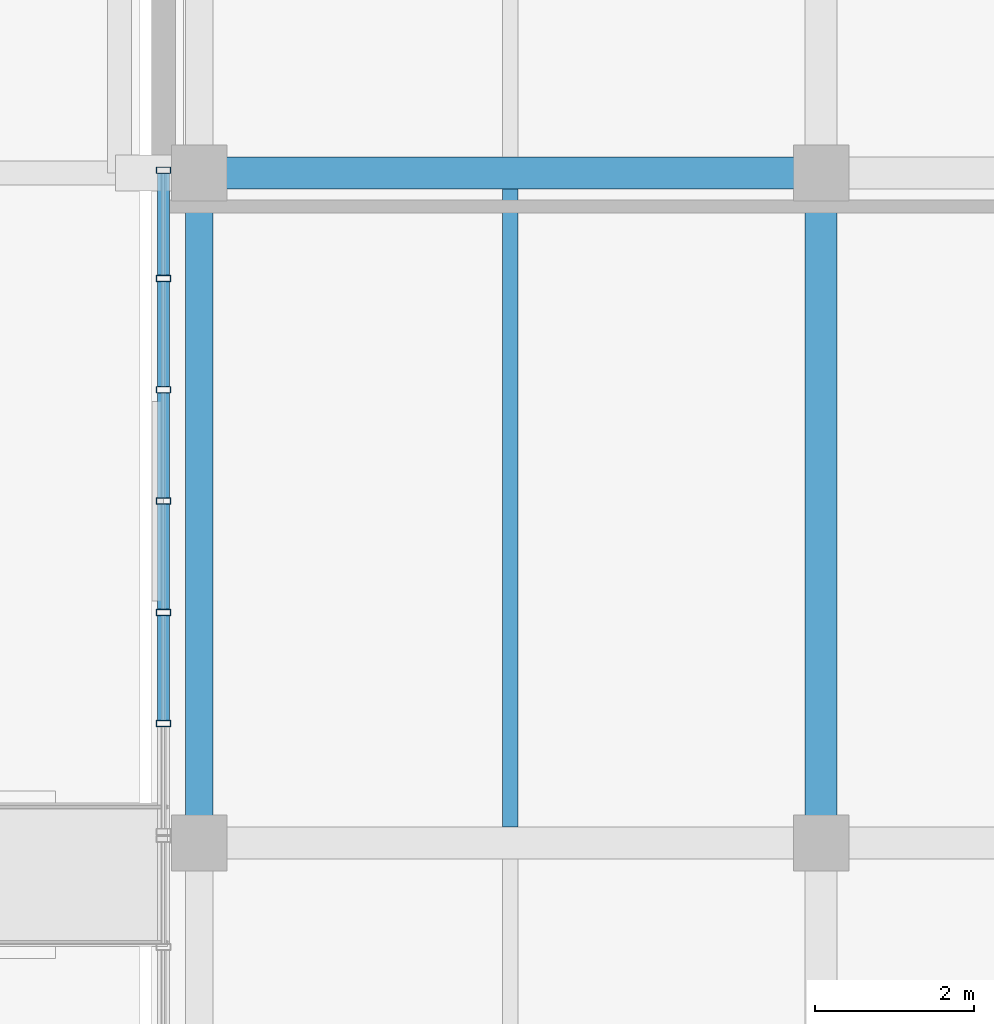
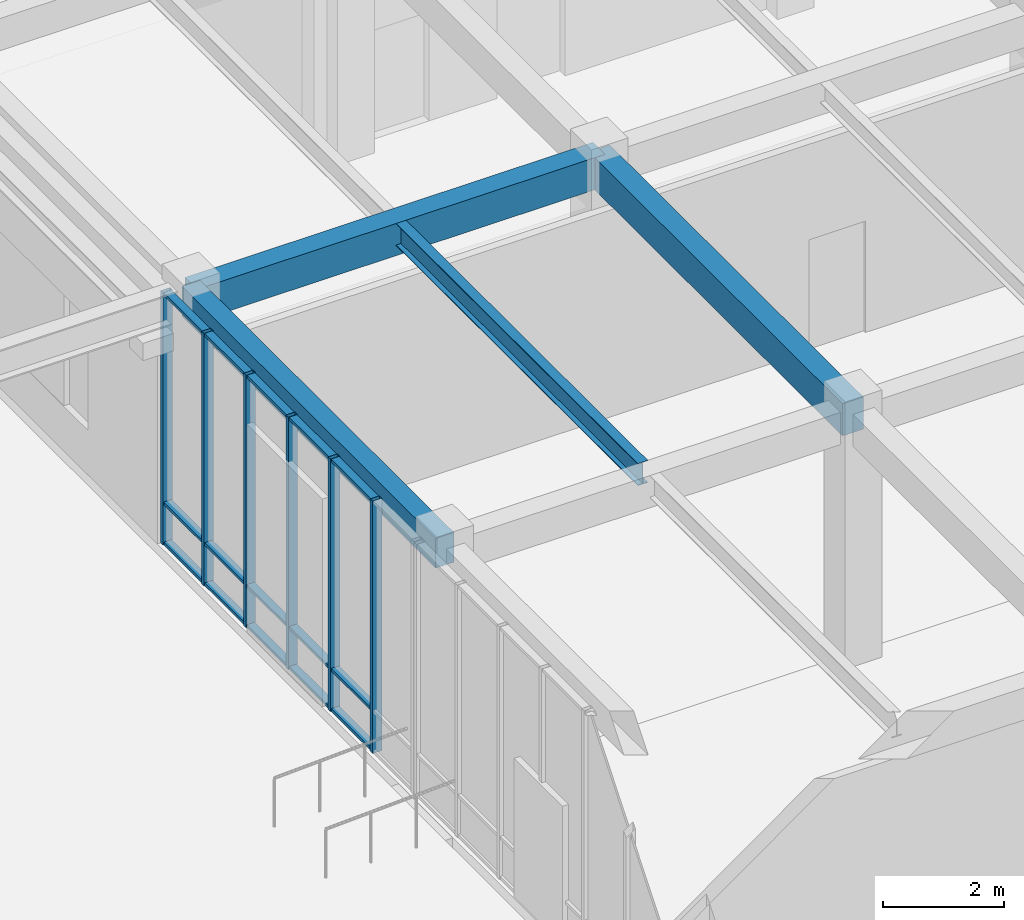
# One storey, part 57 of 122: 21 members, 4 beams, 1 element without a shape of its own.
"""IFC4 building model written with IfcOpenShell, lengths in metres."""

import ifcopenshell
import ifcopenshell.guid

model = None  # the IFC model being written
_history = None  # IfcOwnerHistory: only IFC2X3 demands one
_inside = {}  # id of a spatial element -> (the spatial element, [elements in it])
_under = {}  # id of a project, library or spatial element -> (it, [spatial elements below it])
_declared = {}  # id of a project -> (the project, [libraries it declares])
_typed = {}  # id of a type object -> (the type object, [elements of that type])
_made_of = {}  # id of a material, layer set ... -> (it, [elements and type objects made of it])


def new_model(schema):
    """Start an empty IFC model of exactly this schema.

    Asked for "IFC4X3", IfcOpenShell would pick the latest addendum, in which some entities
    have other attributes; the version numbers below select the first issue.
    IFC2X3 requires an IfcOwnerHistory on every rooted entity: one is made here for all.
    """
    global model, _history
    if schema == "IFC4X3":
        model = ifcopenshell.file(schema_version=(4, 3, 0, 0))
    else:
        model = ifcopenshell.file(schema=schema)
    _inside.clear()
    _under.clear()
    _declared.clear()
    _typed.clear()
    _made_of.clear()
    _history = None
    if model.schema == "IFC2X3":
        org = make("IfcOrganization", Name="unknown")
        user = make(
            "IfcPersonAndOrganization",
            ThePerson=make("IfcPerson", FamilyName="unknown"),
            TheOrganization=org,
        )
        app = make(
            "IfcApplication",
            ApplicationDeveloper=org,
            Version="unknown",
            ApplicationFullName="unknown",
            ApplicationIdentifier="unknown",
        )
        _history = make(
            "IfcOwnerHistory",
            OwningUser=user,
            OwningApplication=app,
            ChangeAction="ADDED",
            CreationDate=0,
        )
    return model


def make(cls, **values):
    """One entity of the class cls with the attributes given. An attribute that is None is left unset."""
    return model.create_entity(
        cls, **{name: value for name, value in values.items() if value is not None}
    )


def rooted(cls, **values):
    """An entity with a GlobalId (a new one), such as an element, a storey or a relation."""
    return make(cls, GlobalId=ifcopenshell.guid.new(), OwnerHistory=_history, **values)


def si_unit(unit_type, name, prefix=None):
    """IfcSIUnit, for example si_unit("LENGTHUNIT", "METRE", prefix="MILLI")."""
    return make("IfcSIUnit", UnitType=unit_type, Prefix=prefix, Name=name)


def assignment(units):
    """IfcUnitAssignment: the units of a project."""
    return None if units is None else make("IfcUnitAssignment", Units=units)


def point(xyz):
    """IfcCartesianPoint."""
    return None if xyz is None else make("IfcCartesianPoint", Coordinates=xyz)


def direction(xyz):
    """IfcDirection."""
    return None if xyz is None else make("IfcDirection", DirectionRatios=xyz)


def frame(location, z_axis=None, x_axis=None):
    """IfcAxis2Placement3D, a coordinate frame: its origin and axes. An axis left out is left unset."""
    return make(
        "IfcAxis2Placement3D",
        Location=point(location),
        Axis=direction(z_axis),
        RefDirection=direction(x_axis),
    )


def frame_2d(location, x_axis=None):
    """IfcAxis2Placement2D, a coordinate frame in the plane: its origin and x axis."""
    return make(
        "IfcAxis2Placement2D", Location=point(location), RefDirection=direction(x_axis)
    )


def origin():
    """The frame at (0, 0, 0) with its axes left unset."""
    return frame((0.0, 0.0, 0.0))


def origin_2d():
    """The frame at (0, 0) in the plane with its x axis left unset."""
    return frame_2d((0.0, 0.0))


def place(relative_to, where):
    """IfcLocalPlacement: puts the frame where relative to a parent placement (None: the world)."""
    return make(
        "IfcLocalPlacement", PlacementRelTo=relative_to, RelativePlacement=where
    )


def context(
    kind, dimensions, precision=None, world=None, true_north=None, identifier=None
):
    """IfcGeometricRepresentationContext, for example the 3D "Model" context."""
    return make(
        "IfcGeometricRepresentationContext",
        ContextIdentifier=identifier,
        ContextType=kind,
        CoordinateSpaceDimension=dimensions,
        Precision=precision,
        WorldCoordinateSystem=world,
        TrueNorth=true_north,
    )


def subcontext(parent, identifier, kind, view, scale=None):
    """IfcGeometricRepresentationSubContext, for example "Body" below "Model"."""
    return make(
        "IfcGeometricRepresentationSubContext",
        ContextIdentifier=identifier,
        ContextType=kind,
        ParentContext=parent,
        TargetScale=scale,
        TargetView=view,
    )


def project(units=None, contexts=None):
    """IfcProject with its units and contexts."""
    return rooted(
        "IfcProject",
        Name="project",
        RepresentationContexts=contexts,
        UnitsInContext=assignment(units),
    )


def spatial(cls, under=None, at=None, **own):
    """A site, building, storey or space (cls), placed at a placement, below another one or the project."""
    s = rooted(cls, ObjectPlacement=at, **own)
    if under is not None:
        _under.setdefault(under.id(), (under, []))[1].append(s)
    return s


def profile(cls, at=None, kind="AREA", **sizes):
    """A parametric profile (cls). Its sizes go by their IFC names, for example OverallWidth=200.0."""
    return make(cls, ProfileType=kind, Position=at, **sizes)


def rectangle(**sizes):
    """IfcRectangleProfileDef."""
    return profile("IfcRectangleProfileDef", **sizes)


def hollow_rectangle(**sizes):
    """IfcRectangleHollowProfileDef."""
    return profile("IfcRectangleHollowProfileDef", **sizes)


def i_section(**sizes):
    """IfcIShapeProfileDef."""
    return profile("IfcIShapeProfileDef", **sizes)


def extrude(swept, where, along, depth):
    """IfcExtrudedAreaSolid: the profile swept, set in the frame where, extruded along a direction by depth."""
    return make(
        "IfcExtrudedAreaSolid",
        SweptArea=swept,
        Position=where,
        ExtrudedDirection=direction(along),
        Depth=depth,
    )


def shape(context_of_items, identifier, shape_type, items):
    """IfcShapeRepresentation: the items that make up one representation, for example the "Body"."""
    return make(
        "IfcShapeRepresentation",
        ContextOfItems=context_of_items,
        RepresentationIdentifier=identifier,
        RepresentationType=shape_type,
        Items=items,
    )


def material(Name=None, Category=None):
    """IfcMaterial."""
    return make("IfcMaterial", Name=Name, Category=Category)


def layer(
    of_material, thickness, ventilated=None, Name=None, Category=None, Priority=None
):
    """IfcMaterialLayer: one layer of a wall or slab, of a material (None: an air gap)."""
    return make(
        "IfcMaterialLayer",
        Material=of_material,
        LayerThickness=thickness,
        IsVentilated=ventilated,
        Name=Name,
        Category=Category,
        Priority=Priority,
    )


def layer_set(layers, Name=None):
    """IfcMaterialLayerSet."""
    return make("IfcMaterialLayerSet", MaterialLayers=layers, LayerSetName=Name)


def material_profile(
    of_material, cross_section, Name=None, Category=None, Priority=None
):
    """IfcMaterialProfile: a cross section and its material."""
    return make(
        "IfcMaterialProfile",
        Name=Name,
        Material=of_material,
        Profile=cross_section,
        Priority=Priority,
        Category=Category,
    )


def profile_set(profiles, Name=None, composite=None):
    """IfcMaterialProfileSet."""
    return make(
        "IfcMaterialProfileSet",
        Name=Name,
        MaterialProfiles=profiles,
        CompositeProfile=composite,
    )


def made_of(thing, what):
    """Note that an element or type object is made of a material, layer set ...; save() writes the relation."""
    if what is not None:
        _made_of.setdefault(what.id(), (what, []))[1].append(thing)
    return thing


def type_object(cls, material=None, **own):
    """A type object (cls), such as IfcWallType, which elements share."""
    return made_of(rooted(cls, **own), material)


def element(
    cls,
    number,
    at=None,
    inside=None,
    cuts=None,
    type_object=None,
    material=None,
    context=None,
    identifier="Body",
    shape_type=None,
    held_by="IfcProductDefinitionShape",
    body=None,
    shapes=None,
    **own,
):
    """One element of the class cls, such as IfcWall. Its Tag is "e" and its number.

    at: its placement. inside: the storey or other place that contains it. cuts: it is an
    opening in that element (IfcRelVoidsElement). A single representation is given by context,
    identifier, shape_type and body (its items); several are given by shapes. held_by: the class
    of the entity that holds the representations. save() writes the other relations.
    """
    e = rooted(cls, Tag="e%d" % number, ObjectPlacement=at, **own)
    if body is not None:
        shapes = [shape(context, identifier, shape_type, body)]
    if shapes is not None:
        e.Representation = make(held_by, Representations=shapes)
    if inside is not None:
        _inside.setdefault(inside.id(), (inside, []))[1].append(e)
    if cuts is not None:
        rooted(
            "IfcRelVoidsElement", RelatingBuildingElement=cuts, RelatedOpeningElement=e
        )
    if type_object is not None:
        _typed.setdefault(type_object.id(), (type_object, []))[1].append(e)
    return made_of(e, material)


def aggregate(whole, parts):
    """IfcRelAggregates: a whole, such as a stair, and the parts it consists of."""
    return rooted("IfcRelAggregates", RelatingObject=whole, RelatedObjects=parts)


def save(model, path):
    """Write the relations noted so far, then the file.

    IfcRelAggregates (storeys below a building ...), IfcRelContainedInSpatialStructure (elements
    in a storey), IfcRelDefinesByType, IfcRelAssociatesMaterial and IfcRelDeclares: one each for
    every whole, place, type object, material and project.
    """
    for whole, parts in _under.values():
        aggregate(whole, parts)
    for where, things in _inside.values():
        rooted(
            "IfcRelContainedInSpatialStructure",
            RelatedElements=things,
            RelatingStructure=where,
        )
    for kind, things in _typed.values():
        rooted("IfcRelDefinesByType", RelatedObjects=things, RelatingType=kind)
    for what, things in _made_of.values():
        rooted("IfcRelAssociatesMaterial", RelatedObjects=things, RelatingMaterial=what)
    for by, libraries in _declared.values():
        rooted("IfcRelDeclares", RelatingContext=by, RelatedDefinitions=libraries)
    model.write(path)


model = new_model("IFC4")

# Units and contexts
model_context = context("Model", 3, precision=1e-05, world=origin(), true_north=direction((0.0, 1.0)))
body_context = subcontext(model_context, "Body", "Model", "MODEL_VIEW")
ifc_project = project(units=[si_unit("LENGTHUNIT", "METRE"), si_unit("AREAUNIT", "SQUARE_METRE"), si_unit("VOLUMEUNIT", "CUBIC_METRE"), si_unit("PLANEANGLEUNIT", "RADIAN"), si_unit("MASSUNIT", "GRAM", prefix="KILO")], contexts=[model_context])

# Site, building, storey
site_placement = place(None, origin())
site = spatial("IfcSite", under=ifc_project, at=site_placement, CompositionType="ELEMENT")
building_placement = place(site_placement, origin())
building = spatial("IfcBuilding", under=site, at=building_placement, Name="Zayran Congress Hotel", CompositionType="ELEMENT")
storey_placement = place(building_placement, origin())
storey = spatial("IfcBuildingStorey", under=building, at=storey_placement, Name="L00", CompositionType="ELEMENT", Elevation=0.0)

# Beams
ifc_material_1 = material(Name="Concrete C40/50", Category="concrete")
ifc_material_profile_1 = material_profile(ifc_material_1, rectangle(XDim=0.39990234375, YDim=0.64990234375, at=origin_2d()), Name="RC 400x650")
ifc_profile_set_1 = profile_set([ifc_material_profile_1], Name="Concrete C40/50")
beam_type_1 = type_object("IfcBeamType", Name="TP-BM-03", PredefinedType="BEAM", material=ifc_profile_set_1)
beam_1_placement = place(storey_placement, frame((109.800048828125, 76.0, 4.77490234375), z_axis=(1.0, 0.0, 0.0), x_axis=(0.0, 1.0, 0.0)))
element("IfcBeam", 1, at=beam_1_placement, inside=storey, type_object=beam_type_1, Name="BM-V4-L00-1222", PredefinedType="BEAM", context=body_context, shape_type="SweptSolid", body=[
    extrude(rectangle(XDim=0.39990234375, YDim=0.64990234375, at=origin_2d()), origin(), (0.0, 0.0, 1.0), 7.800048828125),
])
beam_2_placement = place(storey_placement, frame((117.60009765625, 67.60009765625, 4.77490234375), z_axis=(0.0, 1.0, 0.0), x_axis=(-1.0, 0.0, 0.0)))
element("IfcBeam", 2, at=beam_2_placement, inside=storey, type_object=beam_type_1, Name="BM-V4-L00-1252", PredefinedType="BEAM", context=body_context, shape_type="SweptSolid", body=[
    extrude(rectangle(XDim=0.39990234375, YDim=0.64990234375, at=origin_2d()), origin(), (0.0, 0.0, 1.0), 8.39990234375),
])
ifc_material_profile_2 = material_profile(ifc_material_1, rectangle(XDim=0.35009765625, YDim=0.60009765625, at=origin_2d()), Name="RC 350x600")
ifc_profile_set_2 = profile_set([ifc_material_profile_2], Name="Concrete C40/50")
beam_type_2 = type_object("IfcBeamType", Name="TP-SP-01", PredefinedType="SPANDREL", material=ifc_profile_set_2)
beam_3_placement = place(storey_placement, frame((109.800048828125, 67.60009765625, 4.800048828125), z_axis=(0.0, 1.0, 0.0), x_axis=(-1.0, 0.0, 0.0)))
element("IfcBeam", 3, at=beam_3_placement, inside=storey, type_object=beam_type_2, Name="BM-V4-L00-1245", PredefinedType="SPANDREL", context=body_context, shape_type="SweptSolid", body=[
    extrude(rectangle(XDim=0.35009765625, YDim=0.60009765625, at=origin_2d()), origin(), (0.0, 0.0, 1.0), 8.39990234375),
])
ifc_material_2 = material(Name="Steel S355", Category="steel")
ifc_material_profile_3 = material_profile(ifc_material_2, i_section(OverallWidth=0.18994140625, OverallDepth=0.449951171875, WebThickness=0.009521484375, FlangeThickness=0.0146484375, at=origin_2d()), Name="IPE 450")
ifc_profile_set_3 = profile_set([ifc_material_profile_3], Name="Steel S355")
beam_type_3 = type_object("IfcBeamType", Name="TP-JS-02", PredefinedType="JOIST", material=ifc_profile_set_3)
beam_4_placement = place(storey_placement, frame((113.699951171875, 67.800048828125, 4.875), z_axis=(0.0, 1.0, 0.0), x_axis=(-1.0, 0.0, 0.0)))
element("IfcBeam", 4, at=beam_4_placement, inside=storey, type_object=beam_type_3, Name="JST-V4-L00-1283", PredefinedType="JOIST", context=body_context, shape_type="SweptSolid", body=[
    extrude(i_section(OverallWidth=0.18994140625, OverallDepth=0.449951171875, WebThickness=0.009521484375, FlangeThickness=0.0146484375, at=origin_2d()), origin(), (0.0, 0.0, 1.0), 8.0),
])

# Curtain wall, members
ifc_material_3 = material(Name="Anodised aluminium and low-E insulated glass", Category="aluminium")
ifc_layer = layer(ifc_material_3, 0.179931640625)
ifc_layer_set = layer_set([ifc_layer], Name="Anodised aluminium and low-E insulated glass")
curtain_wall_type = type_object("IfcCurtainWallType", Name="CW-V4W-L00-CW-51-8376-5100", PredefinedType="USERDEFINED", material=ifc_layer_set)
curtain_wall_placement = place(storey_placement, origin())
curtain_wall = element("IfcCurtainWall", 5, at=curtain_wall_placement, inside=storey, type_object=curtain_wall_type, Name="CW-V4W-L00-3", ObjectType="CURTAIN WALL", PredefinedType="USERDEFINED")
ifc_material_4 = material(Name="Anodised aluminium framing", Category="aluminium")
ifc_material_profile_4 = material_profile(ifc_material_4, hollow_rectangle(XDim=0.080078125, YDim=0.179931640625, WallThickness=0.0048828125, at=origin_2d()), Name="RHS 180x80x5")
ifc_profile_set_4 = profile_set([ifc_material_profile_4], Name="Anodised aluminium framing")
member_type_1 = type_object("IfcMemberType", Name="TP-CWM-01", PredefinedType="MULLION", material=ifc_profile_set_4)
member_1_placement = place(storey_placement, frame((109.35009765625, 76.034912109375, 0.0), z_axis=(0.0, 0.0, 1.0), x_axis=(0.0, 1.0, 0.0)))
member_1 = element("IfcMember", 6, at=member_1_placement, type_object=member_type_1, Name="CW-V4W-L00-3-M00", PredefinedType="MULLION", context=body_context, shape_type="SweptSolid", body=[
    extrude(hollow_rectangle(XDim=0.080078125, YDim=0.179931640625, WallThickness=0.0048828125, at=origin_2d()), origin(), (0.0, 0.0, 1.0), 5.10009765625),
])
member_2_placement = place(storey_placement, frame((109.35009765625, 74.678955078125, 0.0), z_axis=(0.0, 0.0, 1.0), x_axis=(0.0, 1.0, 0.0)))
member_2 = element("IfcMember", 7, at=member_2_placement, type_object=member_type_1, Name="CW-V4W-L00-3-M01", PredefinedType="MULLION", context=body_context, shape_type="SweptSolid", body=[
    extrude(hollow_rectangle(XDim=0.080078125, YDim=0.179931640625, WallThickness=0.0048828125, at=origin_2d()), origin(), (0.0, 0.0, 1.0), 5.10009765625),
])
member_3_placement = place(storey_placement, frame((109.35009765625, 73.282958984375, 0.0), z_axis=(0.0, 0.0, 1.0), x_axis=(0.0, 1.0, 0.0)))
member_3 = element("IfcMember", 8, at=member_3_placement, type_object=member_type_1, Name="CW-V4W-L00-3-M02", PredefinedType="MULLION", context=body_context, shape_type="SweptSolid", body=[
    extrude(hollow_rectangle(XDim=0.080078125, YDim=0.179931640625, WallThickness=0.0048828125, at=origin_2d()), origin(), (0.0, 0.0, 1.0), 5.10009765625),
])
member_4_placement = place(storey_placement, frame((109.35009765625, 71.886962890625, 0.0), z_axis=(0.0, 0.0, 1.0), x_axis=(0.0, 1.0, 0.0)))
member_4 = element("IfcMember", 9, at=member_4_placement, type_object=member_type_1, Name="CW-V4W-L00-3-M03", PredefinedType="MULLION", context=body_context, shape_type="SweptSolid", body=[
    extrude(hollow_rectangle(XDim=0.080078125, YDim=0.179931640625, WallThickness=0.0048828125, at=origin_2d()), origin(), (0.0, 0.0, 1.0), 5.10009765625),
])
member_5_placement = place(storey_placement, frame((109.35009765625, 70.490966796875, 0.0), z_axis=(0.0, 0.0, 1.0), x_axis=(0.0, 1.0, 0.0)))
member_5 = element("IfcMember", 10, at=member_5_placement, type_object=member_type_1, Name="CW-V4W-L00-3-M04", PredefinedType="MULLION", context=body_context, shape_type="SweptSolid", body=[
    extrude(hollow_rectangle(XDim=0.080078125, YDim=0.179931640625, WallThickness=0.0048828125, at=origin_2d()), origin(), (0.0, 0.0, 1.0), 5.10009765625),
])
member_6_placement = place(storey_placement, frame((109.35009765625, 69.094970703125, 0.0), z_axis=(0.0, 0.0, 1.0), x_axis=(0.0, 1.0, 0.0)))
member_6 = element("IfcMember", 11, at=member_6_placement, type_object=member_type_1, Name="CW-V4W-L00-3-M05", PredefinedType="MULLION", context=body_context, shape_type="SweptSolid", body=[
    extrude(hollow_rectangle(XDim=0.080078125, YDim=0.179931640625, WallThickness=0.0048828125, at=origin_2d()), origin(), (0.0, 0.0, 1.0), 5.10009765625),
])
ifc_material_profile_5 = material_profile(ifc_material_4, hollow_rectangle(XDim=0.06005859375, YDim=0.14990234375, WallThickness=0.00390625, at=origin_2d()), Name="RHS 150x60x4")
ifc_profile_set_5 = profile_set([ifc_material_profile_5], Name="Anodised aluminium framing")
member_type_2 = type_object("IfcMemberType", Name="TP-CWT-01", PredefinedType="USERDEFINED", material=ifc_profile_set_5)
member_7_placement = place(storey_placement, frame((109.35009765625, 75.9951171875, 0.030029296875), z_axis=(0.0, -1.0, 0.0), x_axis=(0.0, 0.0, 1.0)))
member_7 = element("IfcMember", 12, at=member_7_placement, type_object=member_type_2, Name="CW-V4W-L00-3-T00-0", ObjectType="TRANSOM", PredefinedType="USERDEFINED", context=body_context, shape_type="SweptSolid", body=[
    extrude(hollow_rectangle(XDim=0.06005859375, YDim=0.14990234375, WallThickness=0.00390625, at=origin_2d()), origin(), (0.0, 0.0, 1.0), 1.276123046875),
])
member_8_placement = place(storey_placement, frame((109.35009765625, 75.9951171875, 0.840087890625), z_axis=(0.0, -1.0, 0.0), x_axis=(0.0, 0.0, 1.0)))
member_8 = element("IfcMember", 13, at=member_8_placement, type_object=member_type_2, Name="CW-V4W-L00-3-T00-1", ObjectType="TRANSOM", PredefinedType="USERDEFINED", context=body_context, shape_type="SweptSolid", body=[
    extrude(hollow_rectangle(XDim=0.06005859375, YDim=0.14990234375, WallThickness=0.00390625, at=origin_2d()), origin(), (0.0, 0.0, 1.0), 1.276123046875),
])
member_9_placement = place(storey_placement, frame((109.35009765625, 75.9951171875, 5.070068359375), z_axis=(0.0, -1.0, 0.0), x_axis=(0.0, 0.0, 1.0)))
member_9 = element("IfcMember", 14, at=member_9_placement, type_object=member_type_2, Name="CW-V4W-L00-3-T00-2", ObjectType="TRANSOM", PredefinedType="USERDEFINED", context=body_context, shape_type="SweptSolid", body=[
    extrude(hollow_rectangle(XDim=0.06005859375, YDim=0.14990234375, WallThickness=0.00390625, at=origin_2d()), origin(), (0.0, 0.0, 1.0), 1.276123046875),
])
member_10_placement = place(storey_placement, frame((109.35009765625, 74.638916015625, 0.030029296875), z_axis=(0.0, -1.0, 0.0), x_axis=(0.0, 0.0, 1.0)))
member_10 = element("IfcMember", 15, at=member_10_placement, type_object=member_type_2, Name="CW-V4W-L00-3-T01-0", ObjectType="TRANSOM", PredefinedType="USERDEFINED", context=body_context, shape_type="SweptSolid", body=[
    extrude(hollow_rectangle(XDim=0.06005859375, YDim=0.14990234375, WallThickness=0.00390625, at=origin_2d()), origin(), (0.0, 0.0, 1.0), 1.31591796875),
])
member_11_placement = place(storey_placement, frame((109.35009765625, 74.638916015625, 0.840087890625), z_axis=(0.0, -1.0, 0.0), x_axis=(0.0, 0.0, 1.0)))
member_11 = element("IfcMember", 16, at=member_11_placement, type_object=member_type_2, Name="CW-V4W-L00-3-T01-1", ObjectType="TRANSOM", PredefinedType="USERDEFINED", context=body_context, shape_type="SweptSolid", body=[
    extrude(hollow_rectangle(XDim=0.06005859375, YDim=0.14990234375, WallThickness=0.00390625, at=origin_2d()), origin(), (0.0, 0.0, 1.0), 1.31591796875),
])
member_12_placement = place(storey_placement, frame((109.35009765625, 74.638916015625, 5.070068359375), z_axis=(0.0, -1.0, 0.0), x_axis=(0.0, 0.0, 1.0)))
member_12 = element("IfcMember", 17, at=member_12_placement, type_object=member_type_2, Name="CW-V4W-L00-3-T01-2", ObjectType="TRANSOM", PredefinedType="USERDEFINED", context=body_context, shape_type="SweptSolid", body=[
    extrude(hollow_rectangle(XDim=0.06005859375, YDim=0.14990234375, WallThickness=0.00390625, at=origin_2d()), origin(), (0.0, 0.0, 1.0), 1.31591796875),
])
member_13_placement = place(storey_placement, frame((109.35009765625, 73.242919921875, 0.030029296875), z_axis=(0.0, -1.0, 0.0), x_axis=(0.0, 0.0, 1.0)))
member_13 = element("IfcMember", 18, at=member_13_placement, type_object=member_type_2, Name="CW-V4W-L00-3-T02-0", ObjectType="TRANSOM", PredefinedType="USERDEFINED", context=body_context, shape_type="SweptSolid", body=[
    extrude(hollow_rectangle(XDim=0.06005859375, YDim=0.14990234375, WallThickness=0.00390625, at=origin_2d()), origin(), (0.0, 0.0, 1.0), 1.31591796875),
])
member_14_placement = place(storey_placement, frame((109.35009765625, 73.242919921875, 0.840087890625), z_axis=(0.0, -1.0, 0.0), x_axis=(0.0, 0.0, 1.0)))
member_14 = element("IfcMember", 19, at=member_14_placement, type_object=member_type_2, Name="CW-V4W-L00-3-T02-1", ObjectType="TRANSOM", PredefinedType="USERDEFINED", context=body_context, shape_type="SweptSolid", body=[
    extrude(hollow_rectangle(XDim=0.06005859375, YDim=0.14990234375, WallThickness=0.00390625, at=origin_2d()), origin(), (0.0, 0.0, 1.0), 1.31591796875),
])
member_15_placement = place(storey_placement, frame((109.35009765625, 73.242919921875, 5.070068359375), z_axis=(0.0, -1.0, 0.0), x_axis=(0.0, 0.0, 1.0)))
member_15 = element("IfcMember", 20, at=member_15_placement, type_object=member_type_2, Name="CW-V4W-L00-3-T02-2", ObjectType="TRANSOM", PredefinedType="USERDEFINED", context=body_context, shape_type="SweptSolid", body=[
    extrude(hollow_rectangle(XDim=0.06005859375, YDim=0.14990234375, WallThickness=0.00390625, at=origin_2d()), origin(), (0.0, 0.0, 1.0), 1.31591796875),
])
member_16_placement = place(storey_placement, frame((109.35009765625, 71.846923828125, 0.030029296875), z_axis=(0.0, -1.0, 0.0), x_axis=(0.0, 0.0, 1.0)))
member_16 = element("IfcMember", 21, at=member_16_placement, type_object=member_type_2, Name="CW-V4W-L00-3-T03-0", ObjectType="TRANSOM", PredefinedType="USERDEFINED", context=body_context, shape_type="SweptSolid", body=[
    extrude(hollow_rectangle(XDim=0.06005859375, YDim=0.14990234375, WallThickness=0.00390625, at=origin_2d()), origin(), (0.0, 0.0, 1.0), 1.31591796875),
])
member_17_placement = place(storey_placement, frame((109.35009765625, 71.846923828125, 0.840087890625), z_axis=(0.0, -1.0, 0.0), x_axis=(0.0, 0.0, 1.0)))
member_17 = element("IfcMember", 22, at=member_17_placement, type_object=member_type_2, Name="CW-V4W-L00-3-T03-1", ObjectType="TRANSOM", PredefinedType="USERDEFINED", context=body_context, shape_type="SweptSolid", body=[
    extrude(hollow_rectangle(XDim=0.06005859375, YDim=0.14990234375, WallThickness=0.00390625, at=origin_2d()), origin(), (0.0, 0.0, 1.0), 1.31591796875),
])
member_18_placement = place(storey_placement, frame((109.35009765625, 71.846923828125, 5.070068359375), z_axis=(0.0, -1.0, 0.0), x_axis=(0.0, 0.0, 1.0)))
member_18 = element("IfcMember", 23, at=member_18_placement, type_object=member_type_2, Name="CW-V4W-L00-3-T03-2", ObjectType="TRANSOM", PredefinedType="USERDEFINED", context=body_context, shape_type="SweptSolid", body=[
    extrude(hollow_rectangle(XDim=0.06005859375, YDim=0.14990234375, WallThickness=0.00390625, at=origin_2d()), origin(), (0.0, 0.0, 1.0), 1.31591796875),
])
member_19_placement = place(storey_placement, frame((109.35009765625, 70.450927734375, 0.030029296875), z_axis=(0.0, -1.0, 0.0), x_axis=(0.0, 0.0, 1.0)))
member_19 = element("IfcMember", 24, at=member_19_placement, type_object=member_type_2, Name="CW-V4W-L00-3-T04-0", ObjectType="TRANSOM", PredefinedType="USERDEFINED", context=body_context, shape_type="SweptSolid", body=[
    extrude(hollow_rectangle(XDim=0.06005859375, YDim=0.14990234375, WallThickness=0.00390625, at=origin_2d()), origin(), (0.0, 0.0, 1.0), 1.31591796875),
])
member_20_placement = place(storey_placement, frame((109.35009765625, 70.450927734375, 0.840087890625), z_axis=(0.0, -1.0, 0.0), x_axis=(0.0, 0.0, 1.0)))
member_20 = element("IfcMember", 25, at=member_20_placement, type_object=member_type_2, Name="CW-V4W-L00-3-T04-1", ObjectType="TRANSOM", PredefinedType="USERDEFINED", context=body_context, shape_type="SweptSolid", body=[
    extrude(hollow_rectangle(XDim=0.06005859375, YDim=0.14990234375, WallThickness=0.00390625, at=origin_2d()), origin(), (0.0, 0.0, 1.0), 1.31591796875),
])
member_21_placement = place(storey_placement, frame((109.35009765625, 70.450927734375, 5.070068359375), z_axis=(0.0, -1.0, 0.0), x_axis=(0.0, 0.0, 1.0)))
member_21 = element("IfcMember", 26, at=member_21_placement, type_object=member_type_2, Name="CW-V4W-L00-3-T04-2", ObjectType="TRANSOM", PredefinedType="USERDEFINED", context=body_context, shape_type="SweptSolid", body=[
    extrude(hollow_rectangle(XDim=0.06005859375, YDim=0.14990234375, WallThickness=0.00390625, at=origin_2d()), origin(), (0.0, 0.0, 1.0), 1.31591796875),
])
aggregate(curtain_wall, [member_1, member_2, member_3, member_4, member_5, member_6, member_7, member_8, member_9, member_10, member_11, member_12, member_13, member_14, member_15, member_16, member_17, member_18, member_19, member_20, member_21])

save(model, "model.ifc")
